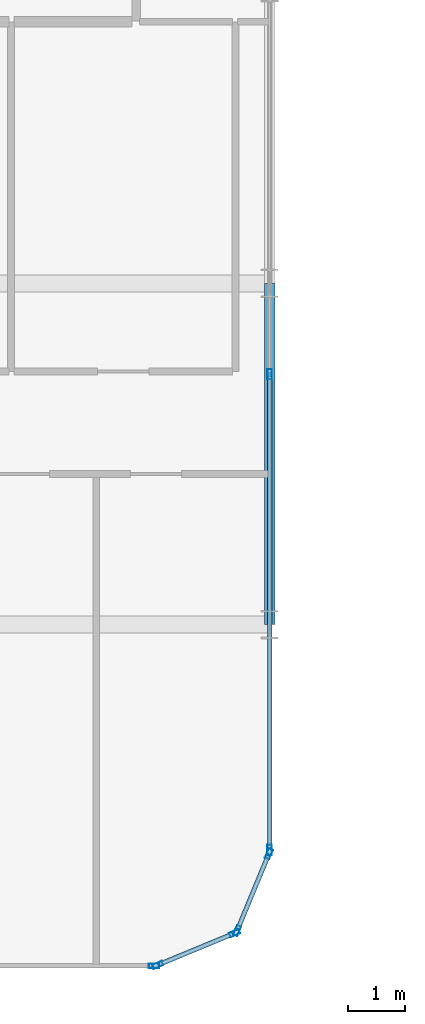
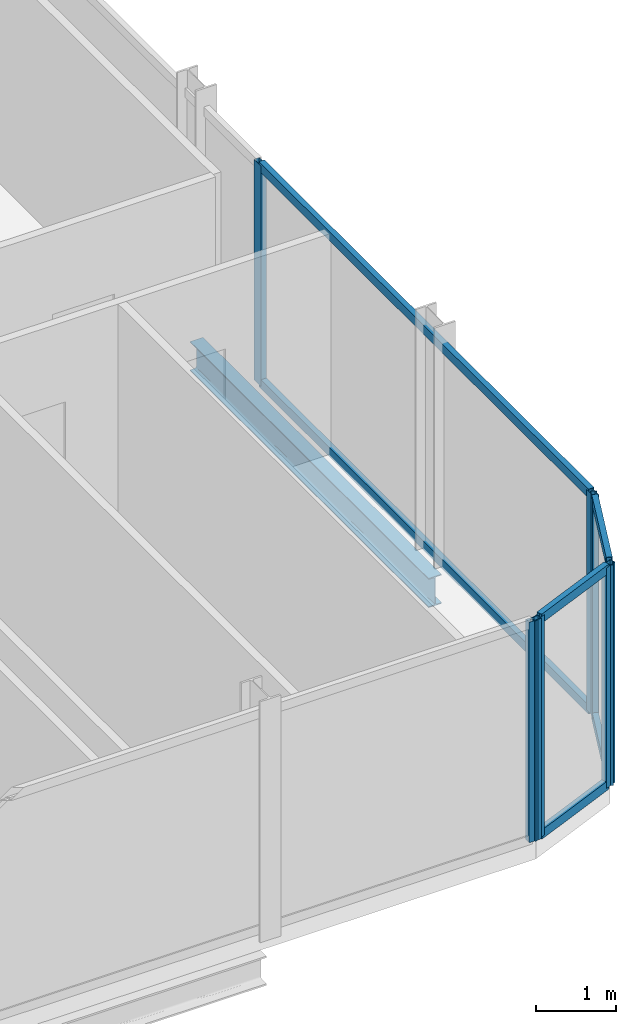
# One storey, part 11 of 32: 13 members, 1 beam, 4 elements without a shape of their own.
"""IFC4 building model written with IfcOpenShell, lengths in metres."""

from ifc_helpers import new_model, si_unit, direction, frame, origin, origin_2d, place, context, subcontext, project, spatial, hollow_rectangle, i_section, extrude, material, layer, layer_set, material_profile, profile_set, type_object, element, aggregate, save


model = new_model("IFC4")

# Units and contexts
model_context = context("Model", 3, precision=1e-05, world=origin(), true_north=direction((0.0, 1.0)))
body_context = subcontext(model_context, "Body", "Model", "MODEL_VIEW")
ifc_project = project(units=[si_unit("LENGTHUNIT", "METRE"), si_unit("AREAUNIT", "SQUARE_METRE"), si_unit("VOLUMEUNIT", "CUBIC_METRE"), si_unit("PLANEANGLEUNIT", "RADIAN"), si_unit("MASSUNIT", "GRAM", prefix="KILO")], contexts=[model_context])

# Site, building, storey
site_placement = place(None, origin())
site = spatial("IfcSite", under=ifc_project, at=site_placement, CompositionType="ELEMENT")
building_placement = place(site_placement, origin())
building = spatial("IfcBuilding", under=site, at=building_placement, Name="Keshet Zoharim Tower", CompositionType="ELEMENT")
storey_placement = place(building_placement, frame((0.0, 0.0, 137.199951171875)))
storey = spatial("IfcBuildingStorey", under=building, at=storey_placement, Name="L33", CompositionType="ELEMENT", Elevation=137.199951171875)

# Beam
ifc_material_1 = material(Name="Steel S355", Category="steel")
ifc_material_profile_1 = material_profile(ifc_material_1, i_section(OverallWidth=0.18994140625, OverallDepth=0.449951171875, WebThickness=0.009521484375, FlangeThickness=0.0146484375, FilletRadius=0.02099609375, at=origin_2d()), Name="IPE450")
ifc_profile_set_1 = profile_set([ifc_material_profile_1], Name="Steel S355")
beam_type = type_object("IfcBeamType", Name="BM-PRI-IP450", PredefinedType="BEAM", material=ifc_profile_set_1)
beam_placement = place(storey_placement, frame((57.0, 6.699951171875, -0.5400390625), z_axis=(0.0, 1.0, 0.0), x_axis=(-1.0, 0.0, 0.0)))
element("IfcBeam", 1, at=beam_placement, inside=storey, type_object=beam_type, Name="L33 Primary Girder Y-013", PredefinedType="BEAM", context=body_context, shape_type="SweptSolid", body=[
    extrude(i_section(OverallWidth=0.18994140625, OverallDepth=0.449951171875, WebThickness=0.009521484375, FlangeThickness=0.0146484375, FilletRadius=0.02099609375, at=origin_2d()), origin(), (0.0, 0.0, 1.0), 6.0),
])

# Curtain wall, members
ifc_material_2 = material(Name="Aluminium 6063-T6", Category="aluminium")
ifc_layer = layer(ifc_material_2, 0.159912109375)
ifc_layer_set = layer_set([ifc_layer], Name="Aluminium 6063-T6")
curtain_wall_type = type_object("IfcCurtainWallType", Name="CW-SYS-03", PredefinedType="NOTDEFINED", material=ifc_layer_set)
curtain_wall_1_placement = place(storey_placement, origin())
curtain_wall_1 = element("IfcCurtainWall", 2, at=curtain_wall_1_placement, inside=storey, type_object=curtain_wall_type, Name="L33 Unitised Curtain Wall 01", PredefinedType="NOTDEFINED")
ifc_material_profile_2 = material_profile(ifc_material_2, hollow_rectangle(XDim=0.080078125, YDim=0.179931640625, WallThickness=0.00439453125, at=origin_2d()), Name="MUL-80x180")
ifc_profile_set_2 = profile_set([ifc_material_profile_2], Name="Aluminium 6063-T6")
member_type_1 = type_object("IfcMemberType", Name="CWM-M18", PredefinedType="MULLION", material=ifc_profile_set_2)
member_1_placement = place(storey_placement, frame((56.986572265625, 2.667724609375, 0.0), z_axis=(0.0, 0.0, 1.0), x_axis=(0.92380975372, -0.382851849847, 0.0)))
member_1 = element("IfcMember", 3, at=member_1_placement, type_object=member_type_1, Name="CW-03 mullion 1", PredefinedType="MULLION", context=body_context, shape_type="SweptSolid", body=[
    extrude(hollow_rectangle(XDim=0.080078125, YDim=0.179931640625, WallThickness=0.00439453125, at=origin_2d()), origin(), (0.0, 0.0, 1.0), 3.385009765625),
])
member_2_placement = place(storey_placement, frame((56.427490234375, 1.318359375, 0.0), z_axis=(0.0, 0.0, 1.0), x_axis=(0.92380975372, -0.382851849847, 0.0)))
member_2 = element("IfcMember", 4, at=member_2_placement, type_object=member_type_1, Name="CW-03 mullion 2", PredefinedType="MULLION", context=body_context, shape_type="SweptSolid", body=[
    extrude(hollow_rectangle(XDim=0.080078125, YDim=0.179931640625, WallThickness=0.00439453125, at=origin_2d()), origin(), (0.0, 0.0, 1.0), 3.385009765625),
])

curtain_wall_2_placement = place(storey_placement, origin())
curtain_wall_2 = element("IfcCurtainWall", 5, at=curtain_wall_2_placement, inside=storey, type_object=curtain_wall_type, Name="L33 Unitised Curtain Wall 02", PredefinedType="NOTDEFINED")
member_3_placement = place(storey_placement, frame((56.381591796875, 1.272705078125, 0.0), z_axis=(0.0, 0.0, 1.0), x_axis=(0.382851849847, -0.92380975372, 0.0)))
member_3 = element("IfcMember", 6, at=member_3_placement, type_object=member_type_1, Name="CW-03 mullion 1", PredefinedType="MULLION", context=body_context, shape_type="SweptSolid", body=[
    extrude(hollow_rectangle(XDim=0.080078125, YDim=0.179931640625, WallThickness=0.00439453125, at=origin_2d()), origin(), (0.0, 0.0, 1.0), 3.385009765625),
])
member_4_placement = place(storey_placement, frame((55.0322265625, 0.71337890625, 0.0), z_axis=(0.0, 0.0, 1.0), x_axis=(0.382851849847, -0.92380975372, 0.0)))
member_4 = element("IfcMember", 7, at=member_4_placement, type_object=member_type_1, Name="CW-03 mullion 2", PredefinedType="MULLION", context=body_context, shape_type="SweptSolid", body=[
    extrude(hollow_rectangle(XDim=0.080078125, YDim=0.179931640625, WallThickness=0.00439453125, at=origin_2d()), origin(), (0.0, 0.0, 1.0), 3.385009765625),
])

# Curtain wall, member
curtain_wall_3_placement = place(storey_placement, origin())
curtain_wall_3 = element("IfcCurtainWall", 8, at=curtain_wall_3_placement, inside=storey, type_object=curtain_wall_type, Name="L33 Unitised Curtain Wall 03", PredefinedType="NOTDEFINED")
member_5_placement = place(storey_placement, frame((54.965087890625, 0.699951171875, 0.0), z_axis=(0.0, 0.0, 1.0), x_axis=(0.0, -1.0, 0.0)))
member_5 = element("IfcMember", 9, at=member_5_placement, type_object=member_type_1, Name="CW-03 mullion 1", PredefinedType="MULLION", context=body_context, shape_type="SweptSolid", body=[
    extrude(hollow_rectangle(XDim=0.080078125, YDim=0.179931640625, WallThickness=0.00439453125, at=origin_2d()), origin(), (0.0, 0.0, 1.0), 3.385009765625),
])
aggregate(curtain_wall_3, [member_5])

# Curtain wall, members
curtain_wall_4_placement = place(storey_placement, origin())
curtain_wall_4 = element("IfcCurtainWall", 10, at=curtain_wall_4_placement, inside=storey, type_object=curtain_wall_type, Name="L33 Unitised Curtain Wall 19", PredefinedType="NOTDEFINED")
member_6_placement = place(storey_placement, frame((57.0, 11.10009765625, 0.0), z_axis=(0.0, 0.0, 1.0), x_axis=(1.0, 0.0, 0.0)))
member_6 = element("IfcMember", 11, at=member_6_placement, type_object=member_type_1, Name="CW-03 mullion 3", PredefinedType="MULLION", context=body_context, shape_type="SweptSolid", body=[
    extrude(hollow_rectangle(XDim=0.080078125, YDim=0.179931640625, WallThickness=0.00439453125, at=origin_2d()), origin(), (0.0, 0.0, 1.0), 3.385009765625),
])
member_7_placement = place(storey_placement, frame((57.0, 2.735107421875, 0.0), z_axis=(0.0, 0.0, 1.0), x_axis=(1.0, 0.0, 0.0)))
member_7 = element("IfcMember", 12, at=member_7_placement, type_object=member_type_1, Name="CW-03 mullion 4", PredefinedType="MULLION", context=body_context, shape_type="SweptSolid", body=[
    extrude(hollow_rectangle(XDim=0.080078125, YDim=0.179931640625, WallThickness=0.00439453125, at=origin_2d()), origin(), (0.0, 0.0, 1.0), 3.385009765625),
])

# Member
ifc_material_profile_3 = material_profile(ifc_material_2, hollow_rectangle(XDim=0.080078125, YDim=0.139892578125, WallThickness=0.00390625, at=origin_2d()), Name="TRN-80x140")
ifc_profile_set_3 = profile_set([ifc_material_profile_3], Name="Aluminium 6063-T6")
member_type_2 = type_object("IfcMemberType", Name="CWT-T14", PredefinedType="USERDEFINED", material=ifc_profile_set_3)
member_8_placement = place(storey_placement, frame((56.97314453125, 2.63525390625, 0.03515625), z_axis=(-0.382744609247, -0.923854189844, 0.0), x_axis=(0.923854189844, -0.382744609247, 0.0)))
member_8 = element("IfcMember", 13, at=member_8_placement, type_object=member_type_2, Name="CW-03 transom 1.1", ObjectType="TRANSOM", PredefinedType="USERDEFINED", context=body_context, shape_type="SweptSolid", body=[
    extrude(hollow_rectangle(XDim=0.080078125, YDim=0.139892578125, WallThickness=0.00390625, at=origin_2d()), origin(), (0.0, 0.0, 1.0), 1.390625),
])

member_9_placement = place(storey_placement, frame((56.97314453125, 2.63525390625, 3.35009765625), z_axis=(-0.382744609247, -0.923854189844, 0.0), x_axis=(0.923854189844, -0.382744609247, 0.0)))
member_9 = element("IfcMember", 14, at=member_9_placement, type_object=member_type_2, Name="CW-03 transom 1.2", ObjectType="TRANSOM", PredefinedType="USERDEFINED", context=body_context, shape_type="SweptSolid", body=[
    extrude(hollow_rectangle(XDim=0.080078125, YDim=0.139892578125, WallThickness=0.00390625, at=origin_2d()), origin(), (0.0, 0.0, 1.0), 1.390625),
])

aggregate(curtain_wall_1, [member_1, member_2, member_8, member_9])

member_10_placement = place(storey_placement, frame((56.349365234375, 1.25927734375, 0.03515625), z_axis=(-0.92379209995, -0.382894445076, 0.0), x_axis=(0.382894445076, -0.92379209995, 0.0)))
member_10 = element("IfcMember", 15, at=member_10_placement, type_object=member_type_2, Name="CW-03 transom 1.1", ObjectType="TRANSOM", PredefinedType="USERDEFINED", context=body_context, shape_type="SweptSolid", body=[
    extrude(hollow_rectangle(XDim=0.080078125, YDim=0.139892578125, WallThickness=0.00390625, at=origin_2d()), origin(), (0.0, 0.0, 1.0), 1.390625),
])

member_11_placement = place(storey_placement, frame((56.349365234375, 1.25927734375, 3.35009765625), z_axis=(-0.92379209995, -0.382894445076, 0.0), x_axis=(0.382894445076, -0.92379209995, 0.0)))
member_11 = element("IfcMember", 16, at=member_11_placement, type_object=member_type_2, Name="CW-03 transom 1.2", ObjectType="TRANSOM", PredefinedType="USERDEFINED", context=body_context, shape_type="SweptSolid", body=[
    extrude(hollow_rectangle(XDim=0.080078125, YDim=0.139892578125, WallThickness=0.00390625, at=origin_2d()), origin(), (0.0, 0.0, 1.0), 1.390625),
])

aggregate(curtain_wall_2, [member_3, member_4, member_10, member_11])

member_12_placement = place(storey_placement, frame((57.0, 11.06494140625, 0.03515625), z_axis=(0.0, -1.0, 0.0), x_axis=(1.0, 0.0, 0.0)))
member_12 = element("IfcMember", 17, at=member_12_placement, type_object=member_type_2, Name="CW-03 transom 3.1", ObjectType="TRANSOM", PredefinedType="USERDEFINED", context=body_context, shape_type="SweptSolid", body=[
    extrude(hollow_rectangle(XDim=0.080078125, YDim=0.139892578125, WallThickness=0.00390625, at=origin_2d()), origin(), (0.0, 0.0, 1.0), 8.294921875),
])

member_13_placement = place(storey_placement, frame((57.0, 11.06494140625, 3.35009765625), z_axis=(0.0, -1.0, 0.0), x_axis=(1.0, 0.0, 0.0)))
member_13 = element("IfcMember", 18, at=member_13_placement, type_object=member_type_2, Name="CW-03 transom 3.2", ObjectType="TRANSOM", PredefinedType="USERDEFINED", context=body_context, shape_type="SweptSolid", body=[
    extrude(hollow_rectangle(XDim=0.080078125, YDim=0.139892578125, WallThickness=0.00390625, at=origin_2d()), origin(), (0.0, 0.0, 1.0), 8.294921875),
])

aggregate(curtain_wall_4, [member_6, member_7, member_12, member_13])

save(model, "model.ifc")
